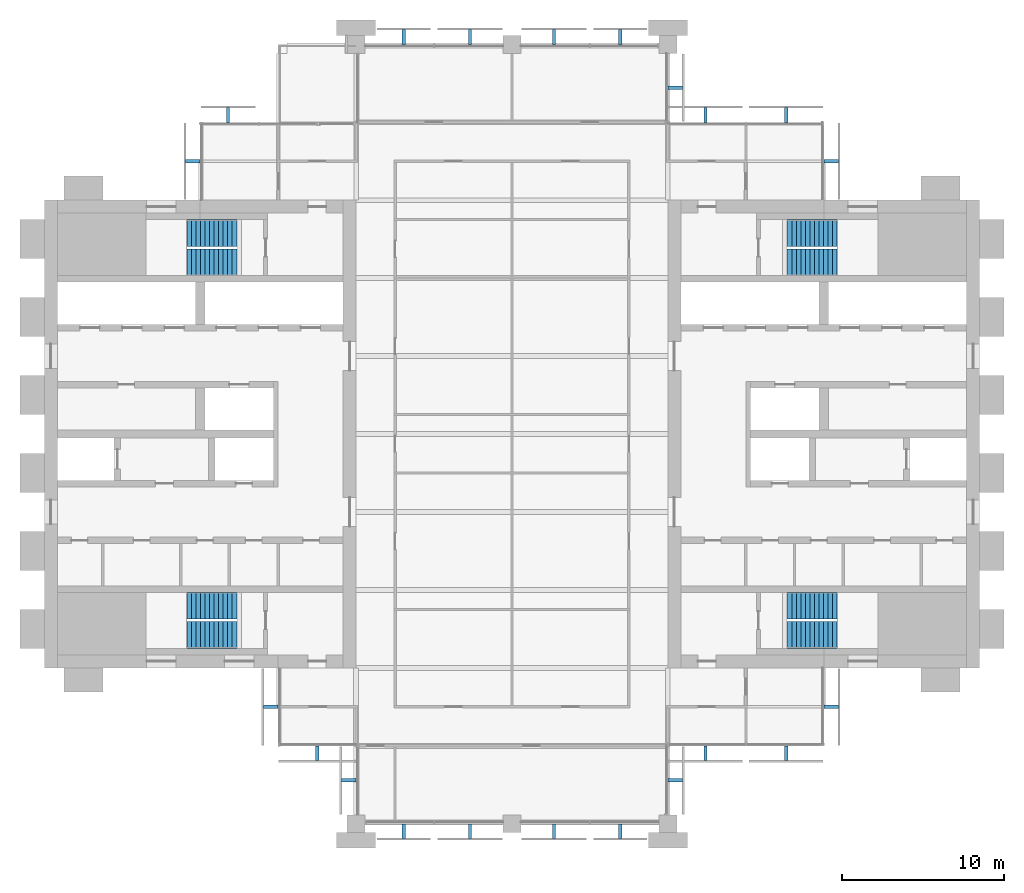
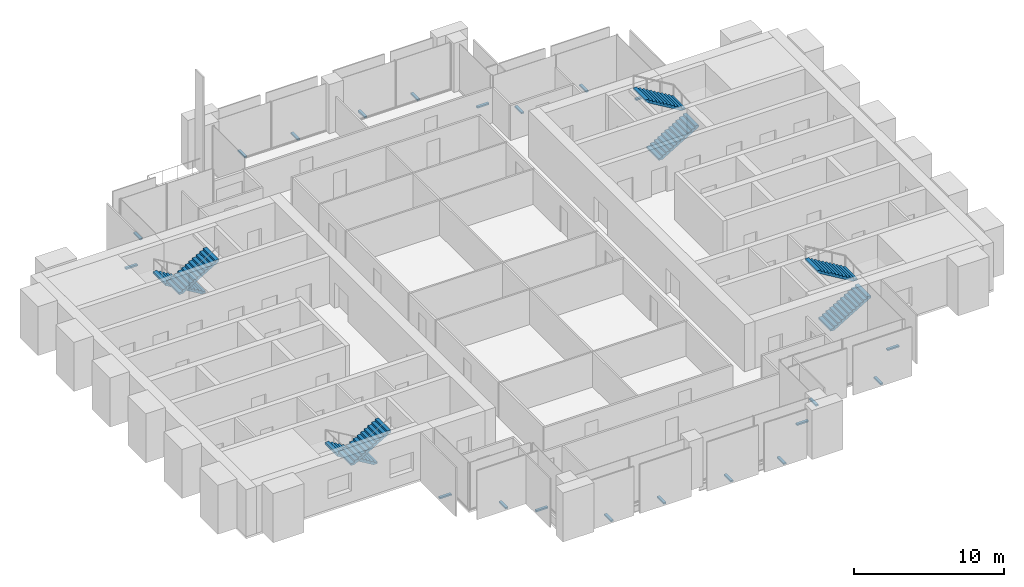
# One storey, part 12 of 13: 21 discrete accessories, 8 stair flights, 4 elements without a shape of their own.
"""IFC4 building model written with IfcOpenShell, lengths in metres."""

from ifc_helpers import new_model, si_unit, direction, frame, origin, origin_2d, place, context, subcontext, project, spatial, polyline, rectangle, outline, extrude, material, type_object, element, aggregate, save


model = new_model("IFC4")

# Units and contexts
model_context = context("Model", 3, precision=1e-05, world=origin(), true_north=direction((0.0, 1.0)))
body_context = subcontext(model_context, "Body", "Model", "MODEL_VIEW")
ifc_project = project(units=[si_unit("LENGTHUNIT", "METRE"), si_unit("AREAUNIT", "SQUARE_METRE"), si_unit("VOLUMEUNIT", "CUBIC_METRE"), si_unit("PLANEANGLEUNIT", "RADIAN"), si_unit("MASSUNIT", "GRAM", prefix="KILO")], contexts=[model_context])

# Site, building, storey
site_placement = place(None, origin())
site = spatial("IfcSite", under=ifc_project, at=site_placement, CompositionType="ELEMENT")
building_placement = place(site_placement, origin())
building = spatial("IfcBuilding", under=site, at=building_placement, Name="Baori Bourse Tower", CompositionType="ELEMENT")
storey_placement = place(building_placement, frame((0.0, 0.0, 229.199951171875)))
storey = spatial("IfcBuildingStorey", under=building, at=storey_placement, Name="L50", CompositionType="ELEMENT", Elevation=229.199951171875)

# Stair, stair flights
ifc_material_1 = material(Name="Concrete f'c 50 MPa", Category="concrete")
stair_type = type_object("IfcStairType", Name="Core stair", PredefinedType="HALF_TURN_STAIR", material=ifc_material_1)
stair_1_placement = place(storey_placement, origin())
stair_1 = element("IfcStair", 1, at=stair_1_placement, inside=storey, type_object=stair_type, Name="L50 Stair WA", PredefinedType="HALF_TURN_STAIR")
ifc_material_2 = material(Name="Concrete f'c 50 MPa", Category="concrete")
stair_flight_type = type_object("IfcStairFlightType", Name="Core stair flight", PredefinedType="STRAIGHT", material=ifc_material_2)
stair_flight_1_placement = place(storey_placement, frame((11.85009765625, 13.425048828125, 0.0), z_axis=(0.0, 0.0, 1.0), x_axis=(-1.0, 0.0, 0.0)))
stair_flight_1 = element("IfcStairFlight", 2, at=stair_flight_1_placement, type_object=stair_flight_type, Name="ST1 flight 1", NumberOfRisers=12, NumberOfTreads=11, PredefinedType="STRAIGHT", RiserHeight=0.166666667, TreadLength=0.28, context=body_context, shape_type="SweptSolid", body=[
    extrude(outline(polyline([(0.0, 0.0), (0.0, 0.166748046875), (0.280029296875, 0.166748046875), (0.280029296875, 0.333251953125), (0.56005859375, 0.333251953125), (0.56005859375, 0.5), (0.840087890625, 0.5), (0.840087890625, 0.666748046875), (1.1201171875, 0.666748046875), (1.1201171875, 0.833251953125), (1.39990234375, 0.833251953125), (1.39990234375, 1.0), (1.679931640625, 1.0), (1.679931640625, 1.166748046875), (1.9599609375, 1.166748046875), (1.9599609375, 1.333251953125), (2.239990234375, 1.333251953125), (2.239990234375, 1.5), (2.52001953125, 1.5), (2.52001953125, 1.666748046875), (2.800048828125, 1.666748046875), (2.800048828125, 1.833251953125), (3.080078125, 1.833251953125), (3.080078125, 2.0), (3.080078125, 1.658935546875), (0.29296875, 0.0), (0.0, 0.0)])), frame((0.0, 0.824951171875, 0.0), z_axis=(0.0, -1.0, 0.0), x_axis=(1.0, 0.0, 0.0)), (0.0, 0.0, 1.0), 1.64990234375),
])
stair_flight_2_placement = place(storey_placement, frame((8.77001953125, 11.625, 2.0), z_axis=(0.0, 0.0, 1.0), x_axis=(1.0, 0.0, 0.0)))
stair_flight_2 = element("IfcStairFlight", 3, at=stair_flight_2_placement, type_object=stair_flight_type, Name="ST1 flight 2", NumberOfRisers=12, NumberOfTreads=11, PredefinedType="STRAIGHT", RiserHeight=0.166666667, TreadLength=0.28, context=body_context, shape_type="SweptSolid", body=[
    extrude(outline(polyline([(0.0, 0.0), (0.0, 0.166748046875), (0.280029296875, 0.166748046875), (0.280029296875, 0.333251953125), (0.56005859375, 0.333251953125), (0.56005859375, 0.5), (0.840087890625, 0.5), (0.840087890625, 0.666748046875), (1.1201171875, 0.666748046875), (1.1201171875, 0.833251953125), (1.39990234375, 0.833251953125), (1.39990234375, 1.0), (1.679931640625, 1.0), (1.679931640625, 1.166748046875), (1.9599609375, 1.166748046875), (1.9599609375, 1.333251953125), (2.239990234375, 1.333251953125), (2.239990234375, 1.5), (2.52001953125, 1.5), (2.52001953125, 1.666748046875), (2.800048828125, 1.666748046875), (2.800048828125, 1.833251953125), (3.080078125, 1.833251953125), (3.080078125, 2.0), (3.080078125, 1.658935546875), (0.29296875, 0.0), (0.0, 0.0)])), frame((0.0, 0.824951171875, 0.0), z_axis=(0.0, -1.0, 0.0), x_axis=(1.0, 0.0, 0.0)), (0.0, 0.0, 1.0), 1.64990234375),
])
aggregate(stair_1, [stair_flight_1, stair_flight_2])

stair_2_placement = place(storey_placement, origin())
stair_2 = element("IfcStair", 4, at=stair_2_placement, inside=storey, type_object=stair_type, Name="L50 Stair WB", PredefinedType="HALF_TURN_STAIR")
stair_flight_3_placement = place(storey_placement, frame((11.85009765625, 36.375, 0.0), z_axis=(0.0, 0.0, 1.0), x_axis=(-1.0, 0.0, 0.0)))
stair_flight_3 = element("IfcStairFlight", 5, at=stair_flight_3_placement, type_object=stair_flight_type, Name="ST2 flight 1", NumberOfRisers=12, NumberOfTreads=11, PredefinedType="STRAIGHT", RiserHeight=0.166666667, TreadLength=0.28, context=body_context, shape_type="SweptSolid", body=[
    extrude(outline(polyline([(0.0, 0.0), (0.0, 0.166748046875), (0.280029296875, 0.166748046875), (0.280029296875, 0.333251953125), (0.56005859375, 0.333251953125), (0.56005859375, 0.5), (0.840087890625, 0.5), (0.840087890625, 0.666748046875), (1.1201171875, 0.666748046875), (1.1201171875, 0.833251953125), (1.39990234375, 0.833251953125), (1.39990234375, 1.0), (1.679931640625, 1.0), (1.679931640625, 1.166748046875), (1.9599609375, 1.166748046875), (1.9599609375, 1.333251953125), (2.239990234375, 1.333251953125), (2.239990234375, 1.5), (2.52001953125, 1.5), (2.52001953125, 1.666748046875), (2.800048828125, 1.666748046875), (2.800048828125, 1.833251953125), (3.080078125, 1.833251953125), (3.080078125, 2.0), (3.080078125, 1.658935546875), (0.29296875, 0.0), (0.0, 0.0)])), frame((0.0, 0.824951171875, 0.0), z_axis=(0.0, -1.0, 0.0), x_axis=(1.0, 0.0, 0.0)), (0.0, 0.0, 1.0), 1.64990234375),
])
stair_flight_4_placement = place(storey_placement, frame((8.77001953125, 34.574951171875, 2.0), z_axis=(0.0, 0.0, 1.0), x_axis=(1.0, 0.0, 0.0)))
stair_flight_4 = element("IfcStairFlight", 6, at=stair_flight_4_placement, type_object=stair_flight_type, Name="ST2 flight 2", NumberOfRisers=12, NumberOfTreads=11, PredefinedType="STRAIGHT", RiserHeight=0.166666667, TreadLength=0.28, context=body_context, shape_type="SweptSolid", body=[
    extrude(outline(polyline([(0.0, 0.0), (0.0, 0.166748046875), (0.280029296875, 0.166748046875), (0.280029296875, 0.333251953125), (0.56005859375, 0.333251953125), (0.56005859375, 0.5), (0.840087890625, 0.5), (0.840087890625, 0.666748046875), (1.1201171875, 0.666748046875), (1.1201171875, 0.833251953125), (1.39990234375, 0.833251953125), (1.39990234375, 1.0), (1.679931640625, 1.0), (1.679931640625, 1.166748046875), (1.9599609375, 1.166748046875), (1.9599609375, 1.333251953125), (2.239990234375, 1.333251953125), (2.239990234375, 1.5), (2.52001953125, 1.5), (2.52001953125, 1.666748046875), (2.800048828125, 1.666748046875), (2.800048828125, 1.833251953125), (3.080078125, 1.833251953125), (3.080078125, 2.0), (3.080078125, 1.658935546875), (0.29296875, 0.0), (0.0, 0.0)])), frame((0.0, 0.824951171875, 0.0), z_axis=(0.0, -1.0, 0.0), x_axis=(1.0, 0.0, 0.0)), (0.0, 0.0, 1.0), 1.64990234375),
])
aggregate(stair_2, [stair_flight_3, stair_flight_4])

stair_3_placement = place(storey_placement, origin())
stair_3 = element("IfcStair", 7, at=stair_3_placement, inside=storey, type_object=stair_type, Name="L50 Stair EA", PredefinedType="HALF_TURN_STAIR")
stair_flight_5_placement = place(storey_placement, frame((45.75, 11.625, 0.0), z_axis=(0.0, 0.0, 1.0), x_axis=(1.0, 0.0, 0.0)))
stair_flight_5 = element("IfcStairFlight", 8, at=stair_flight_5_placement, type_object=stair_flight_type, Name="ST3 flight 1", NumberOfRisers=12, NumberOfTreads=11, PredefinedType="STRAIGHT", RiserHeight=0.166666667, TreadLength=0.28, context=body_context, shape_type="SweptSolid", body=[
    extrude(outline(polyline([(0.0, 0.0), (0.0, 0.166748046875), (0.280029296875, 0.166748046875), (0.280029296875, 0.333251953125), (0.56005859375, 0.333251953125), (0.56005859375, 0.5), (0.840087890625, 0.5), (0.840087890625, 0.666748046875), (1.1201171875, 0.666748046875), (1.1201171875, 0.833251953125), (1.39990234375, 0.833251953125), (1.39990234375, 1.0), (1.679931640625, 1.0), (1.679931640625, 1.166748046875), (1.9599609375, 1.166748046875), (1.9599609375, 1.333251953125), (2.239990234375, 1.333251953125), (2.239990234375, 1.5), (2.52001953125, 1.5), (2.52001953125, 1.666748046875), (2.800048828125, 1.666748046875), (2.800048828125, 1.833251953125), (3.080078125, 1.833251953125), (3.080078125, 2.0), (3.080078125, 1.658935546875), (0.29296875, 0.0), (0.0, 0.0)])), frame((0.0, 0.824951171875, 0.0), z_axis=(0.0, -1.0, 0.0), x_axis=(1.0, 0.0, 0.0)), (0.0, 0.0, 1.0), 1.64990234375),
])
stair_flight_6_placement = place(storey_placement, frame((48.830078125, 13.425048828125, 2.0), z_axis=(0.0, 0.0, 1.0), x_axis=(-1.0, 0.0, 0.0)))
stair_flight_6 = element("IfcStairFlight", 9, at=stair_flight_6_placement, type_object=stair_flight_type, Name="ST3 flight 2", NumberOfRisers=12, NumberOfTreads=11, PredefinedType="STRAIGHT", RiserHeight=0.166666667, TreadLength=0.28, context=body_context, shape_type="SweptSolid", body=[
    extrude(outline(polyline([(0.0, 0.0), (0.0, 0.166748046875), (0.280029296875, 0.166748046875), (0.280029296875, 0.333251953125), (0.56005859375, 0.333251953125), (0.56005859375, 0.5), (0.840087890625, 0.5), (0.840087890625, 0.666748046875), (1.1201171875, 0.666748046875), (1.1201171875, 0.833251953125), (1.39990234375, 0.833251953125), (1.39990234375, 1.0), (1.679931640625, 1.0), (1.679931640625, 1.166748046875), (1.9599609375, 1.166748046875), (1.9599609375, 1.333251953125), (2.239990234375, 1.333251953125), (2.239990234375, 1.5), (2.52001953125, 1.5), (2.52001953125, 1.666748046875), (2.800048828125, 1.666748046875), (2.800048828125, 1.833251953125), (3.080078125, 1.833251953125), (3.080078125, 2.0), (3.080078125, 1.658935546875), (0.29296875, 0.0), (0.0, 0.0)])), frame((0.0, 0.824951171875, 0.0), z_axis=(0.0, -1.0, 0.0), x_axis=(1.0, 0.0, 0.0)), (0.0, 0.0, 1.0), 1.64990234375),
])
aggregate(stair_3, [stair_flight_5, stair_flight_6])

stair_4_placement = place(storey_placement, origin())
stair_4 = element("IfcStair", 10, at=stair_4_placement, inside=storey, type_object=stair_type, Name="L50 Stair EB", PredefinedType="HALF_TURN_STAIR")
stair_flight_7_placement = place(storey_placement, frame((45.75, 34.574951171875, 0.0), z_axis=(0.0, 0.0, 1.0), x_axis=(1.0, 0.0, 0.0)))
stair_flight_7 = element("IfcStairFlight", 11, at=stair_flight_7_placement, type_object=stair_flight_type, Name="ST4 flight 1", NumberOfRisers=12, NumberOfTreads=11, PredefinedType="STRAIGHT", RiserHeight=0.166666667, TreadLength=0.28, context=body_context, shape_type="SweptSolid", body=[
    extrude(outline(polyline([(0.0, 0.0), (0.0, 0.166748046875), (0.280029296875, 0.166748046875), (0.280029296875, 0.333251953125), (0.56005859375, 0.333251953125), (0.56005859375, 0.5), (0.840087890625, 0.5), (0.840087890625, 0.666748046875), (1.1201171875, 0.666748046875), (1.1201171875, 0.833251953125), (1.39990234375, 0.833251953125), (1.39990234375, 1.0), (1.679931640625, 1.0), (1.679931640625, 1.166748046875), (1.9599609375, 1.166748046875), (1.9599609375, 1.333251953125), (2.239990234375, 1.333251953125), (2.239990234375, 1.5), (2.52001953125, 1.5), (2.52001953125, 1.666748046875), (2.800048828125, 1.666748046875), (2.800048828125, 1.833251953125), (3.080078125, 1.833251953125), (3.080078125, 2.0), (3.080078125, 1.658935546875), (0.29296875, 0.0), (0.0, 0.0)])), frame((0.0, 0.824951171875, 0.0), z_axis=(0.0, -1.0, 0.0), x_axis=(1.0, 0.0, 0.0)), (0.0, 0.0, 1.0), 1.64990234375),
])
stair_flight_8_placement = place(storey_placement, frame((48.830078125, 36.375, 2.0), z_axis=(0.0, 0.0, 1.0), x_axis=(-1.0, 0.0, 0.0)))
stair_flight_8 = element("IfcStairFlight", 12, at=stair_flight_8_placement, type_object=stair_flight_type, Name="ST4 flight 2", NumberOfRisers=12, NumberOfTreads=11, PredefinedType="STRAIGHT", RiserHeight=0.166666667, TreadLength=0.28, context=body_context, shape_type="SweptSolid", body=[
    extrude(outline(polyline([(0.0, 0.0), (0.0, 0.166748046875), (0.280029296875, 0.166748046875), (0.280029296875, 0.333251953125), (0.56005859375, 0.333251953125), (0.56005859375, 0.5), (0.840087890625, 0.5), (0.840087890625, 0.666748046875), (1.1201171875, 0.666748046875), (1.1201171875, 0.833251953125), (1.39990234375, 0.833251953125), (1.39990234375, 1.0), (1.679931640625, 1.0), (1.679931640625, 1.166748046875), (1.9599609375, 1.166748046875), (1.9599609375, 1.333251953125), (2.239990234375, 1.333251953125), (2.239990234375, 1.5), (2.52001953125, 1.5), (2.52001953125, 1.666748046875), (2.800048828125, 1.666748046875), (2.800048828125, 1.833251953125), (3.080078125, 1.833251953125), (3.080078125, 2.0), (3.080078125, 1.658935546875), (0.29296875, 0.0), (0.0, 0.0)])), frame((0.0, 0.824951171875, 0.0), z_axis=(0.0, -1.0, 0.0), x_axis=(1.0, 0.0, 0.0)), (0.0, 0.0, 1.0), 1.64990234375),
])
aggregate(stair_4, [stair_flight_7, stair_flight_8])

# Discrete accessories
ifc_material_3 = material(Name="Pale anodised aluminium", Category="aluminium")
discrete_accessory_type = type_object("IfcDiscreteAccessoryType", Name="OS2 Outer skin bracket", PredefinedType="BRACKET", material=ifc_material_3)
for number, where, z_axis, x_axis, name in (
    (13, (48.449951171875, 40.800048828125, -0.143798828125), (0.0, 0.0, 1.0), (0.0, 1.0, 0.0), "Outer skin bracket L50 1"),
    (14, (45.6875, 43.64990234375, -0.143798828125), (0.0, 0.0, 1.0), (-1.0, 0.0, 0.0), "Outer skin bracket L50 2"),
    (15, (40.71240234375, 43.64990234375, -0.143798828125), (0.0, 0.0, 1.0), (-1.0, 0.0, 0.0), "Outer skin bracket L50 3"),
    (16, (38.85009765625, 45.324951171875, -0.143798828125), (0.0, 0.0, 1.0), (0.0, 1.0, 0.0), "Outer skin bracket L50 4"),
    (17, (35.46240234375, 48.449951171875, -0.143798828125), (0.0, 0.0, 1.0), (-1.0, 0.0, 0.0), "Outer skin bracket L50 5"),
    (18, (31.387451171875, 48.449951171875, -0.143798828125), (0.0, 0.0, 1.0), (-1.0, 0.0, 0.0), "Outer skin bracket L50 6"),
    (19, (26.21240234375, 48.449951171875, -0.143798828125), (0.0, 0.0, 1.0), (-1.0, 0.0, 0.0), "Outer skin bracket L50 7"),
    (20, (22.137451171875, 48.449951171875, -0.143798828125), (0.0, 0.0, 1.0), (-1.0, 0.0, 0.0), "Outer skin bracket L50 8"),
    (21, (11.3125, 43.64990234375, -0.143798828125), (0.0, 0.0, 1.0), (-1.0, 0.0, 0.0), "Outer skin bracket L50 9"),
    (22, (9.14990234375, 40.800048828125, -0.143798828125), (0.0, 0.0, 1.0), (0.0, -1.0, 0.0), "Outer skin bracket L50 10"),
    (23, (13.949951171875, 7.199951171875, -0.143798828125), (0.0, 0.0, 1.0), (0.0, -1.0, 0.0), "Outer skin bracket L50 11"),
    (24, (16.800048828125, 4.35009765625, -0.143798828125), (0.0, 0.0, 1.0), (1.0, 0.0, 0.0), "Outer skin bracket L50 12"),
    (25, (18.75, 2.675048828125, -0.143798828125), (0.0, 0.0, 1.0), (0.0, -1.0, 0.0), "Outer skin bracket L50 13"),
    (26, (22.137451171875, -0.449951171875, -0.143798828125), (0.0, 0.0, 1.0), (1.0, 0.0, 0.0), "Outer skin bracket L50 14"),
    (27, (26.21240234375, -0.449951171875, -0.143798828125), (0.0, 0.0, 1.0), (1.0, 0.0, 0.0), "Outer skin bracket L50 15"),
    (28, (31.387451171875, -0.449951171875, -0.143798828125), (0.0, 0.0, 1.0), (1.0, 0.0, 0.0), "Outer skin bracket L50 16"),
    (29, (35.46240234375, -0.449951171875, -0.143798828125), (0.0, 0.0, 1.0), (1.0, 0.0, 0.0), "Outer skin bracket L50 17"),
    (30, (38.85009765625, 2.675048828125, -0.143798828125), (0.0, 0.0, 1.0), (0.0, 1.0, 0.0), "Outer skin bracket L50 18"),
    (31, (40.71240234375, 4.35009765625, -0.143798828125), (0.0, 0.0, 1.0), (1.0, 0.0, 0.0), "Outer skin bracket L50 19"),
    (32, (45.6875, 4.35009765625, -0.143798828125), (0.0, 0.0, 1.0), (1.0, 0.0, 0.0), "Outer skin bracket L50 20"),
    (33, (48.449951171875, 7.199951171875, -0.143798828125), (0.0, 0.0, 1.0), (0.0, 1.0, 0.0), "Outer skin bracket L50 21"),
):
    element("IfcDiscreteAccessory", number, at=place(storey_placement, frame(where, z_axis=z_axis, x_axis=x_axis)), inside=storey, type_object=discrete_accessory_type, Name=name, PredefinedType="BRACKET", context=body_context, shape_type="SweptSolid", body=[
        extrude(rectangle(XDim=0.199951171875, YDim=0.89990234375, at=origin_2d()), origin(), (0.0, 0.0, 1.0), 0.1279296875),
    ])

save(model, "model.ifc")
